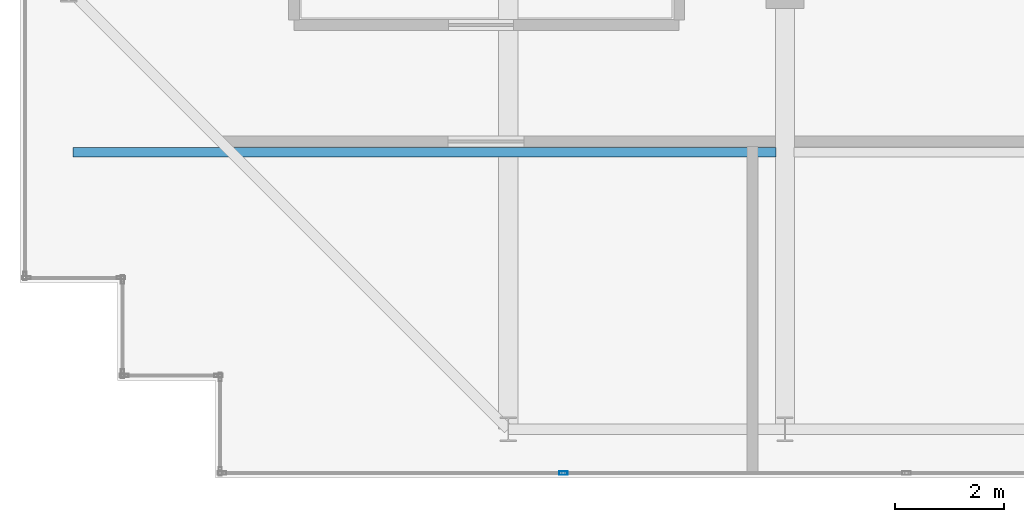
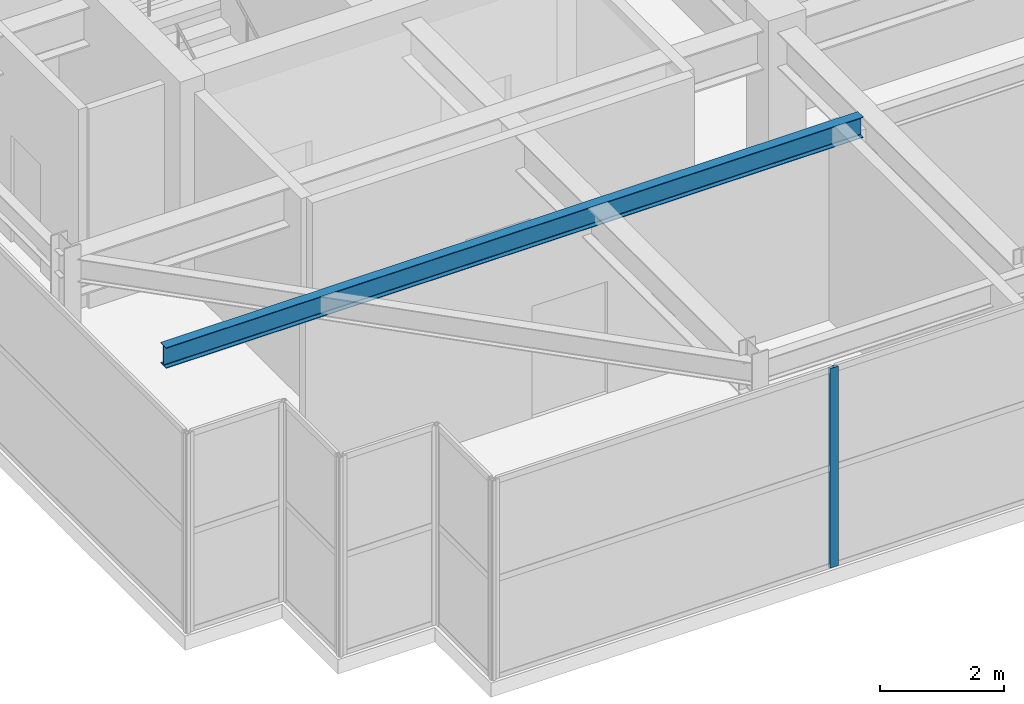
# One storey, part 3 of 32: 1 beam, 1 member, 1 element without a shape of its own.
"""IFC4 building model written with IfcOpenShell, lengths in metres."""

from ifc_helpers import new_model, si_unit, direction, frame, origin, origin_2d, place, context, subcontext, project, spatial, hollow_rectangle, i_section, extrude, source, transform, mapped, material, layer, layer_set, material_profile, profile_set, type_object, element, aggregate, save


model = new_model("IFC4")

# Units and contexts
model_context = context("Model", 3, precision=1e-05, world=origin(), true_north=direction((0.0, 1.0)))
body_context = subcontext(model_context, "Body", "Model", "MODEL_VIEW")
ifc_project = project(units=[si_unit("LENGTHUNIT", "METRE"), si_unit("AREAUNIT", "SQUARE_METRE"), si_unit("VOLUMEUNIT", "CUBIC_METRE"), si_unit("PLANEANGLEUNIT", "RADIAN"), si_unit("MASSUNIT", "GRAM", prefix="KILO")], contexts=[model_context])

# Site, building, storey
site_placement = place(None, origin())
site = spatial("IfcSite", under=ifc_project, at=site_placement, CompositionType="ELEMENT")
building_placement = place(site_placement, origin())
building = spatial("IfcBuilding", under=site, at=building_placement, Name="Khoralis Quay Care Tower", CompositionType="ELEMENT")
storey_placement = place(building_placement, frame((0.0, 0.0, 297.89990234375)))
storey = spatial("IfcBuildingStorey", under=building, at=storey_placement, Name="L78", CompositionType="ELEMENT", Elevation=297.89990234375)

# Beam
ifc_material_1 = material(Name="Steel S355", Category="steel")
ifc_material_profile_1 = material_profile(ifc_material_1, i_section(OverallWidth=0.177978515625, OverallDepth=0.406982421875, WebThickness=0.0078125, FlangeThickness=0.0126953125, FilletRadius=0.012939453125, at=origin_2d()), Name="Steel S355")
ifc_profile_set_1 = profile_set([ifc_material_profile_1], Name="Steel S355")
beam_type = type_object("IfcBeamType", Name="BM-W410X60", PredefinedType="JOIST", material=ifc_profile_set_1)
shared_shape_1 = source(origin(), body_context, "Body", "SweptSolid", [
    extrude(i_section(OverallWidth=0.177978515625, OverallDepth=0.406982421875, WebThickness=0.0078125, FlangeThickness=0.0126953125, FilletRadius=0.012939453125, at=origin_2d()), origin(), (0.0, 0.0, 1.0), 12.95361328125),
])
beam_placement = place(storey_placement, frame((3.98095703125, 9.0, 3.716552734375), z_axis=(1.0, 0.0, 0.0), x_axis=(0.0, 1.0, 0.0)))
element("IfcBeam", 1, at=beam_placement, inside=storey, type_object=beam_type, Name="BM-TJS-L78-21", PredefinedType="JOIST", context=body_context, shape_type="MappedRepresentation", body=[
    mapped(shared_shape_1, transform((0.0, 0.0, 0.0), scale=1.0)),
])

# Curtain wall, member
ifc_material_2 = material(Name="Pale anodised aluminium", Category="aluminium")
ifc_layer = layer(ifc_material_2, 0.199951171875)
ifc_layer_set = layer_set([ifc_layer], Name="Pale anodised aluminium")
curtain_wall_type = type_object("IfcCurtainWallType", Name="CW-SYS-LANTERN", PredefinedType="NOTDEFINED", material=ifc_layer_set)
curtain_wall_placement = place(storey_placement, origin())
curtain_wall = element("IfcCurtainWall", 2, at=curtain_wall_placement, inside=storey, type_object=curtain_wall_type, Name="L78 Unitised Curtain Wall CW-LN-L78-01", PredefinedType="NOTDEFINED")
ifc_material_profile_2 = material_profile(ifc_material_2, hollow_rectangle(XDim=0.06005859375, YDim=0.159912109375, WallThickness=0.00390625, at=origin_2d()), Name="Pale anodised aluminium")
ifc_profile_set_2 = profile_set([ifc_material_profile_2], Name="Pale anodised aluminium")
member_type = type_object("IfcMemberType", Name="CW-MUL-160", PredefinedType="MULLION", material=ifc_profile_set_2)
shared_shape_2 = source(origin(), body_context, "Body", "SweptSolid", [
    extrude(hollow_rectangle(XDim=0.06005859375, YDim=0.159912109375, WallThickness=0.00390625, at=origin_2d()), origin(), (0.0, 0.0, 1.0), 3.920166015625),
])
member_placement = place(storey_placement, frame((13.013916015625, 3.090087890625, 0.0), z_axis=(0.0, 0.0, 1.0), x_axis=(0.0, 1.0, 0.0)))
member = element("IfcMember", 3, at=member_placement, type_object=member_type, Name="CW5 mullion 2", PredefinedType="MULLION", context=body_context, shape_type="MappedRepresentation", body=[
    mapped(shared_shape_2, transform((0.0, 0.0, 0.0), scale=1.0)),
])
aggregate(curtain_wall, [member])

save(model, "model.ifc")
